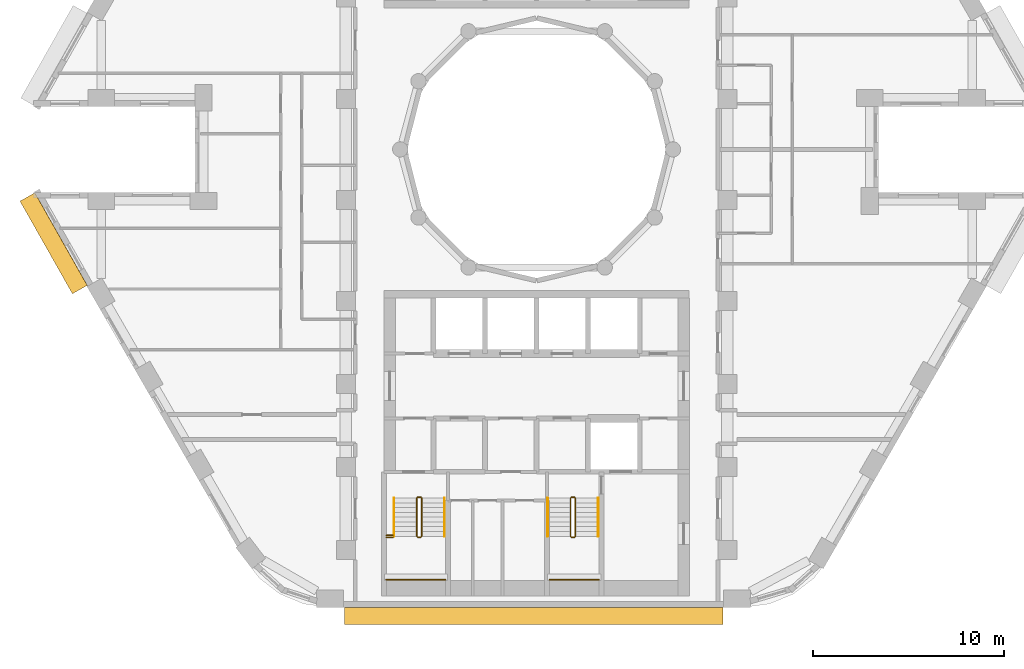
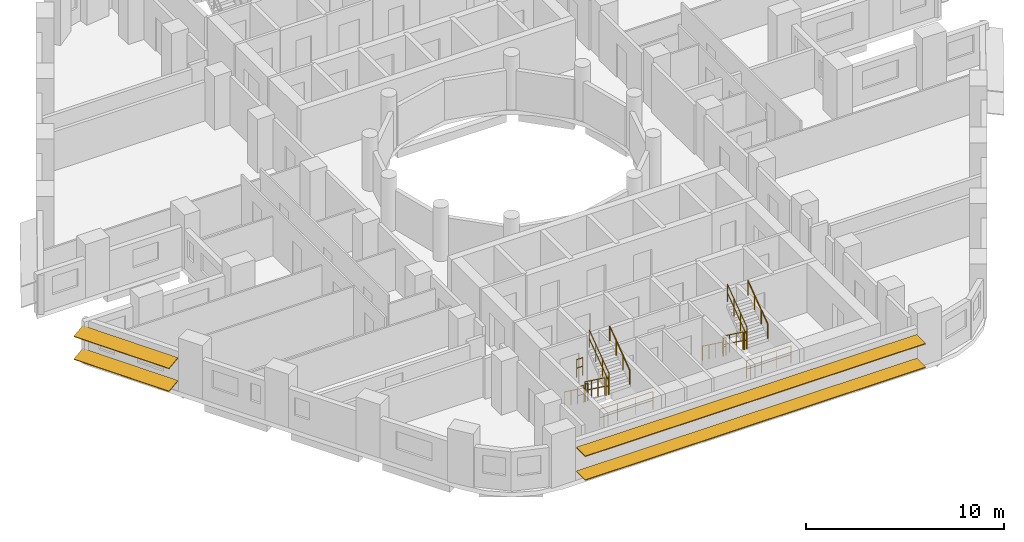
# One storey, part 10 of 12: 16 railings, 4 shading devices.
"""IFC4 building model written with IfcOpenShell, lengths in metres."""

from ifc_helpers import new_model, si_unit, direction, frame, origin, origin_2d, place, context, subcontext, project, spatial, rectangle, circle, extrude, material, material_profile, profile_set, type_object, element, save


model = new_model("IFC4")

# Units and contexts
model_context = context("Model", 3, precision=1e-05, world=origin(), true_north=direction((0.0, 1.0)))
body_context = subcontext(model_context, "Body", "Model", "MODEL_VIEW")
ifc_project = project(units=[si_unit("LENGTHUNIT", "METRE"), si_unit("AREAUNIT", "SQUARE_METRE"), si_unit("VOLUMEUNIT", "CUBIC_METRE"), si_unit("PLANEANGLEUNIT", "RADIAN"), si_unit("MASSUNIT", "GRAM", prefix="KILO")], contexts=[model_context])

# Site, building, storey
site_placement = place(None, origin())
site = spatial("IfcSite", under=ifc_project, at=site_placement, CompositionType="ELEMENT")
building_placement = place(site_placement, origin())
building = spatial("IfcBuilding", under=site, at=building_placement, Name="Nakaniwa Court", CompositionType="ELEMENT")
storey_placement = place(building_placement, frame((0.0, 0.0, 94.199951171875)))
storey = spatial("IfcBuildingStorey", under=building, at=storey_placement, Name="L24", CompositionType="ELEMENT", Elevation=94.199951171875)

# Shading devices
ifc_material_1 = material(Name="Perforated charcoal ceramic louvre blade")
ifc_material_profile = material_profile(ifc_material_1, rectangle(XDim=0.89990234375, YDim=0.050048828125, at=origin_2d()), Name="Perforated ceramic louvre blade")
ifc_profile_set = profile_set([ifc_material_profile], Name="Perforated charcoal ceramic louvre blade")
shading_device_type = type_object("IfcShadingDeviceType", Name="Perforated ceramic louvre blade", PredefinedType="JALOUSIE", material=ifc_profile_set)
for number, where, z_axis, x_axis, name in (
    (1, (53.31689453125, 77.508056640625, 0.550048828125), (0.492438058427, -0.870347493024, 0.0), (0.862701960504, 0.488112256124, 0.132256390257), "L24 perforated ceramic louvre blade w20 1"),
    (2, (53.31689453125, 77.508056640625, 1.955810546875), (0.492438058427, -0.870347493024, 0.0), (0.862701960504, 0.488112256124, 0.132256390257), "L24 perforated ceramic louvre blade w20 2"),
):
    element("IfcShadingDevice", number, at=place(storey_placement, frame(where, z_axis=z_axis, x_axis=x_axis)), inside=storey, type_object=shading_device_type, Name=name, PredefinedType="JALOUSIE", context=body_context, shape_type="SweptSolid", body=[
        extrude(rectangle(XDim=0.89990234375, YDim=0.050048828125, at=origin_2d()), origin(), (0.0, 0.0, 1.0), 5.576416015625),
    ])
for number, where, z_axis, x_axis, name in (
    (3, (69.92138671875, 55.550048828125, 0.550048828125), (1.0, 0.0, 0.0), (0.0, 1.0, 0.0), "L24 perforated ceramic louvre blade w26 1"),
    (4, (69.92138671875, 55.550048828125, 2.01513671875), (1.0, 0.0, 0.0), (0.0, 1.0, 0.0), "L24 perforated ceramic louvre blade w26 2"),
):
    element("IfcShadingDevice", number, at=place(storey_placement, frame(where, z_axis=z_axis, x_axis=x_axis)), inside=storey, type_object=shading_device_type, Name=name, PredefinedType="JALOUSIE", context=body_context, shape_type="SweptSolid", body=[
        extrude(rectangle(XDim=0.89990234375, YDim=0.050048828125, at=origin_2d()), origin(), (0.0, 0.0, 1.0), 19.839599609375),
    ])

# Railings
ifc_material_2 = material(Name="Black powder coated steel guard", Category="steel")
railing_type_1 = type_object("IfcRailingType", Name="Stair guard 1100", PredefinedType="GUARDRAIL", material=ifc_material_2)
railing_1_placement = place(storey_placement, frame((73.72509765625, 61.72509765625, 0.183349609375)))
element("IfcRailing", 5, at=railing_1_placement, inside=storey, type_object=railing_type_1, Name="L24 ST3 stair guard 1", PredefinedType="GUARDRAIL", context=body_context, shape_type="SweptSolid", body=[
    extrude(circle(Radius=0.02392578125, at=origin_2d()), frame((0.0, 0.0, 1.076171875), z_axis=(0.0, -0.806379959628, 0.591397802423), x_axis=(1.0, 0.0, 0.0)), (0.0, 0.0, 1.0), 2.480224609375),
    extrude(circle(Radius=0.02392578125, at=origin_2d()), frame((0.0, 0.0, 0.550048828125), z_axis=(0.0, -0.806379959628, 0.591397802423), x_axis=(1.0, 0.0, 0.0)), (0.0, 0.0, 1.0), 2.480224609375),
    extrude(circle(Radius=0.02099609375, at=origin_2d()), origin(), (0.0, 0.0, 1.0), 1.052001953125),
    extrude(circle(Radius=0.02099609375, at=origin_2d()), frame((0.0, -0.666748046875, 0.489013671875)), (0.0, 0.0, 1.0), 1.052001953125),
    extrude(circle(Radius=0.02099609375, at=origin_2d()), frame((0.0, -1.333251953125, 0.977783203125)), (0.0, 0.0, 1.0), 1.052001953125),
    extrude(circle(Radius=0.02099609375, at=origin_2d()), frame((0.0, -2.0, 1.466796875)), (0.0, 0.0, 1.0), 1.052001953125),
])
railing_2_placement = place(storey_placement, frame((73.77490234375, 59.675048828125, 1.650146484375)))
element("IfcRailing", 6, at=railing_2_placement, inside=storey, type_object=railing_type_1, Name="L24 ST3 stair guard 2", PredefinedType="GUARDRAIL", context=body_context, shape_type="SweptSolid", body=[
    extrude(circle(Radius=0.02392578125, at=origin_2d()), frame((0.0, 0.0, 1.076171875), z_axis=(1.0, 0.0, 0.0), x_axis=(0.0, 1.0, 0.0)), (0.0, 0.0, 1.0), 0.150146484375),
    extrude(circle(Radius=0.02392578125, at=origin_2d()), frame((0.0, 0.0, 0.550048828125), z_axis=(1.0, 0.0, 0.0), x_axis=(0.0, 1.0, 0.0)), (0.0, 0.0, 1.0), 0.150146484375),
    extrude(circle(Radius=0.02099609375, at=origin_2d()), origin(), (0.0, 0.0, 1.0), 1.052001953125),
    extrude(circle(Radius=0.02099609375, at=origin_2d()), frame((0.150146484375, 0.0, 0.0)), (0.0, 0.0, 1.0), 1.052001953125),
])
railing_3_placement = place(storey_placement, frame((73.97509765625, 59.72509765625, 1.83349609375)))
element("IfcRailing", 7, at=railing_3_placement, inside=storey, type_object=railing_type_1, Name="L24 ST3 stair guard 3", PredefinedType="GUARDRAIL", context=body_context, shape_type="SweptSolid", body=[
    extrude(circle(Radius=0.02392578125, at=origin_2d()), frame((0.0, 0.0, 1.076171875), z_axis=(0.0, 0.806426902644, 0.591333789573), x_axis=(-1.0, 0.0, 0.0)), (0.0, 0.0, 1.0), 2.47998046875),
    extrude(circle(Radius=0.02392578125, at=origin_2d()), frame((0.0, 0.0, 0.550048828125), z_axis=(0.0, 0.806426902644, 0.591333789573), x_axis=(-1.0, 0.0, 0.0)), (0.0, 0.0, 1.0), 2.47998046875),
    extrude(circle(Radius=0.02099609375, at=origin_2d()), origin(), (0.0, 0.0, 1.0), 1.052001953125),
    extrude(circle(Radius=0.02099609375, at=origin_2d()), frame((0.0, 0.666748046875, 0.48876953125)), (0.0, 0.0, 1.0), 1.052001953125),
    extrude(circle(Radius=0.02099609375, at=origin_2d()), frame((0.0, 1.333251953125, 0.977783203125)), (0.0, 0.0, 1.0), 1.052001953125),
    extrude(circle(Radius=0.02099609375, at=origin_2d()), frame((0.0, 2.0, 1.466552734375)), (0.0, 0.0, 1.0), 1.052001953125),
])
railing_4_placement = place(storey_placement, frame((73.77490234375, 61.77490234375, 0.0)))
element("IfcRailing", 8, at=railing_4_placement, inside=storey, type_object=railing_type_1, Name="L24 ST3 stair guard 4", PredefinedType="GUARDRAIL", context=body_context, shape_type="SweptSolid", body=[
    extrude(circle(Radius=0.02392578125, at=origin_2d()), frame((0.0, 0.0, 1.076171875), z_axis=(1.0, 0.0, 0.0), x_axis=(0.0, 1.0, 0.0)), (0.0, 0.0, 1.0), 0.150146484375),
    extrude(circle(Radius=0.02392578125, at=origin_2d()), frame((0.0, 0.0, 0.550048828125), z_axis=(1.0, 0.0, 0.0), x_axis=(0.0, 1.0, 0.0)), (0.0, 0.0, 1.0), 0.150146484375),
    extrude(circle(Radius=0.02099609375, at=origin_2d()), origin(), (0.0, 0.0, 1.0), 1.052001953125),
    extrude(circle(Radius=0.02099609375, at=origin_2d()), frame((0.150146484375, 0.0, 0.0)), (0.0, 0.0, 1.0), 1.052001953125),
])
railing_5_placement = place(storey_placement, frame((72.125, 57.449951171875, 1.650146484375)))
element("IfcRailing", 9, at=railing_5_placement, inside=storey, type_object=railing_type_1, Name="L24 ST3 landing end guard 1", PredefinedType="GUARDRAIL", context=body_context, shape_type="SweptSolid", body=[
    extrude(circle(Radius=0.02392578125, at=origin_2d()), frame((0.0, 0.0, 1.076171875), z_axis=(1.0, 0.0, 0.0), x_axis=(0.0, 1.0, 0.0)), (0.0, 0.0, 1.0), 3.10009765625),
    extrude(circle(Radius=0.02392578125, at=origin_2d()), frame((0.0, 0.0, 0.550048828125), z_axis=(1.0, 0.0, 0.0), x_axis=(0.0, 1.0, 0.0)), (0.0, 0.0, 1.0), 3.10009765625),
    extrude(circle(Radius=0.02099609375, at=origin_2d()), origin(), (0.0, 0.0, 1.0), 1.052001953125),
    extrude(circle(Radius=0.02099609375, at=origin_2d()), frame((1.033447265625, 0.0, 0.0)), (0.0, 0.0, 1.0), 1.052001953125),
    extrude(circle(Radius=0.02099609375, at=origin_2d()), frame((2.066650390625, 0.0, 0.0)), (0.0, 0.0, 1.0), 1.052001953125),
    extrude(circle(Radius=0.02099609375, at=origin_2d()), frame((3.10009765625, 0.0, 0.0)), (0.0, 0.0, 1.0), 1.052001953125),
])
for number, where, name in (
    (10, (72.125, 59.675048828125, 1.650146484375), "L24 ST3 landing side guard 1W"),
    (11, (72.125, 59.77490234375, 3.300048828125), "L24 ST3 floor edge guard 1W"),
):
    element("IfcRailing", number, at=place(storey_placement, frame(where)), inside=storey, type_object=railing_type_1, Name=name, PredefinedType="GUARDRAIL", context=body_context, shape_type="SweptSolid", body=[
        extrude(circle(Radius=0.02392578125, at=origin_2d()), frame((0.0, 0.0, 1.076171875), z_axis=(1.0, 0.0, 0.0), x_axis=(0.0, 1.0, 0.0)), (0.0, 0.0, 1.0), 0.35009765625),
        extrude(circle(Radius=0.02392578125, at=origin_2d()), frame((0.0, 0.0, 0.550048828125), z_axis=(1.0, 0.0, 0.0), x_axis=(0.0, 1.0, 0.0)), (0.0, 0.0, 1.0), 0.35009765625),
        extrude(circle(Radius=0.02099609375, at=origin_2d()), origin(), (0.0, 0.0, 1.0), 1.052001953125),
        extrude(circle(Radius=0.02099609375, at=origin_2d()), frame((0.35009765625, 0.0, 0.0)), (0.0, 0.0, 1.0), 1.052001953125),
    ])
railing_6_placement = place(storey_placement, frame((81.77490234375, 61.72509765625, 0.183349609375)))
element("IfcRailing", 12, at=railing_6_placement, inside=storey, type_object=railing_type_1, Name="L24 ST4 stair guard 1", PredefinedType="GUARDRAIL", context=body_context, shape_type="SweptSolid", body=[
    extrude(circle(Radius=0.02392578125, at=origin_2d()), frame((0.0, 0.0, 1.076171875), z_axis=(0.0, -0.806379959628, 0.591397802423), x_axis=(1.0, 0.0, 0.0)), (0.0, 0.0, 1.0), 2.480224609375),
    extrude(circle(Radius=0.02392578125, at=origin_2d()), frame((0.0, 0.0, 0.550048828125), z_axis=(0.0, -0.806379959628, 0.591397802423), x_axis=(1.0, 0.0, 0.0)), (0.0, 0.0, 1.0), 2.480224609375),
    extrude(circle(Radius=0.02099609375, at=origin_2d()), origin(), (0.0, 0.0, 1.0), 1.052001953125),
    extrude(circle(Radius=0.02099609375, at=origin_2d()), frame((0.0, -0.666748046875, 0.489013671875)), (0.0, 0.0, 1.0), 1.052001953125),
    extrude(circle(Radius=0.02099609375, at=origin_2d()), frame((0.0, -1.333251953125, 0.977783203125)), (0.0, 0.0, 1.0), 1.052001953125),
    extrude(circle(Radius=0.02099609375, at=origin_2d()), frame((0.0, -2.0, 1.466796875)), (0.0, 0.0, 1.0), 1.052001953125),
])
railing_7_placement = place(storey_placement, frame((81.824951171875, 59.675048828125, 1.650146484375)))
element("IfcRailing", 13, at=railing_7_placement, inside=storey, type_object=railing_type_1, Name="L24 ST4 stair guard 2", PredefinedType="GUARDRAIL", context=body_context, shape_type="SweptSolid", body=[
    extrude(circle(Radius=0.02392578125, at=origin_2d()), frame((0.0, 0.0, 1.076171875), z_axis=(1.0, 0.0, 0.0), x_axis=(0.0, 1.0, 0.0)), (0.0, 0.0, 1.0), 0.150146484375),
    extrude(circle(Radius=0.02392578125, at=origin_2d()), frame((0.0, 0.0, 0.550048828125), z_axis=(1.0, 0.0, 0.0), x_axis=(0.0, 1.0, 0.0)), (0.0, 0.0, 1.0), 0.150146484375),
    extrude(circle(Radius=0.02099609375, at=origin_2d()), origin(), (0.0, 0.0, 1.0), 1.052001953125),
    extrude(circle(Radius=0.02099609375, at=origin_2d()), frame((0.150146484375, 0.0, 0.0)), (0.0, 0.0, 1.0), 1.052001953125),
])
railing_8_placement = place(storey_placement, frame((82.02490234375, 59.72509765625, 1.83349609375)))
element("IfcRailing", 14, at=railing_8_placement, inside=storey, type_object=railing_type_1, Name="L24 ST4 stair guard 3", PredefinedType="GUARDRAIL", context=body_context, shape_type="SweptSolid", body=[
    extrude(circle(Radius=0.02392578125, at=origin_2d()), frame((0.0, 0.0, 1.076171875), z_axis=(0.0, 0.806426902644, 0.591333789573), x_axis=(-1.0, 0.0, 0.0)), (0.0, 0.0, 1.0), 2.47998046875),
    extrude(circle(Radius=0.02392578125, at=origin_2d()), frame((0.0, 0.0, 0.550048828125), z_axis=(0.0, 0.806426902644, 0.591333789573), x_axis=(-1.0, 0.0, 0.0)), (0.0, 0.0, 1.0), 2.47998046875),
    extrude(circle(Radius=0.02099609375, at=origin_2d()), origin(), (0.0, 0.0, 1.0), 1.052001953125),
    extrude(circle(Radius=0.02099609375, at=origin_2d()), frame((0.0, 0.666748046875, 0.48876953125)), (0.0, 0.0, 1.0), 1.052001953125),
    extrude(circle(Radius=0.02099609375, at=origin_2d()), frame((0.0, 1.333251953125, 0.977783203125)), (0.0, 0.0, 1.0), 1.052001953125),
    extrude(circle(Radius=0.02099609375, at=origin_2d()), frame((0.0, 2.0, 1.466552734375)), (0.0, 0.0, 1.0), 1.052001953125),
])
railing_9_placement = place(storey_placement, frame((81.824951171875, 61.77490234375, 0.0)))
element("IfcRailing", 15, at=railing_9_placement, inside=storey, type_object=railing_type_1, Name="L24 ST4 stair guard 4", PredefinedType="GUARDRAIL", context=body_context, shape_type="SweptSolid", body=[
    extrude(circle(Radius=0.02392578125, at=origin_2d()), frame((0.0, 0.0, 1.076171875), z_axis=(1.0, 0.0, 0.0), x_axis=(0.0, 1.0, 0.0)), (0.0, 0.0, 1.0), 0.150146484375),
    extrude(circle(Radius=0.02392578125, at=origin_2d()), frame((0.0, 0.0, 0.550048828125), z_axis=(1.0, 0.0, 0.0), x_axis=(0.0, 1.0, 0.0)), (0.0, 0.0, 1.0), 0.150146484375),
    extrude(circle(Radius=0.02099609375, at=origin_2d()), origin(), (0.0, 0.0, 1.0), 1.052001953125),
    extrude(circle(Radius=0.02099609375, at=origin_2d()), frame((0.150146484375, 0.0, 0.0)), (0.0, 0.0, 1.0), 1.052001953125),
])
railing_10_placement = place(storey_placement, frame((80.675048828125, 57.449951171875, 1.650146484375)))
element("IfcRailing", 16, at=railing_10_placement, inside=storey, type_object=railing_type_1, Name="L24 ST4 landing end guard 1", PredefinedType="GUARDRAIL", context=body_context, shape_type="SweptSolid", body=[
    extrude(circle(Radius=0.02392578125, at=origin_2d()), frame((0.0, 0.0, 1.076171875), z_axis=(1.0, 0.0, 0.0), x_axis=(0.0, 1.0, 0.0)), (0.0, 0.0, 1.0), 2.599853515625),
    extrude(circle(Radius=0.02392578125, at=origin_2d()), frame((0.0, 0.0, 0.550048828125), z_axis=(1.0, 0.0, 0.0), x_axis=(0.0, 1.0, 0.0)), (0.0, 0.0, 1.0), 2.599853515625),
    extrude(circle(Radius=0.02099609375, at=origin_2d()), origin(), (0.0, 0.0, 1.0), 1.052001953125),
    extrude(circle(Radius=0.02099609375, at=origin_2d()), frame((0.86669921875, 0.0, 0.0)), (0.0, 0.0, 1.0), 1.052001953125),
    extrude(circle(Radius=0.02099609375, at=origin_2d()), frame((1.733154296875, 0.0, 0.0)), (0.0, 0.0, 1.0), 1.052001953125),
    extrude(circle(Radius=0.02099609375, at=origin_2d()), frame((2.599853515625, 0.0, 0.0)), (0.0, 0.0, 1.0), 1.052001953125),
])
ifc_material_3 = material(Name="Black powder coated steel handrail", Category="steel")
railing_type_2 = type_object("IfcRailingType", Name="Stair handrail 900", PredefinedType="HANDRAIL", material=ifc_material_3)
railing_11_placement = place(storey_placement, frame((72.52490234375, 61.72509765625, 0.183349609375)))
element("IfcRailing", 17, at=railing_11_placement, inside=storey, type_object=railing_type_2, Name="L24 ST3 stair handrail 1", PredefinedType="HANDRAIL", context=body_context, shape_type="SweptSolid", body=[
    extrude(circle(Radius=0.02392578125, at=origin_2d()), frame((0.0, 0.0, 0.8759765625), z_axis=(0.0, -0.806379959628, 0.591397802423), x_axis=(1.0, 0.0, 0.0)), (0.0, 0.0, 1.0), 2.480224609375),
    extrude(circle(Radius=0.02099609375, at=origin_2d()), origin(), (0.0, 0.0, 1.0), 0.851806640625),
    extrude(circle(Radius=0.02099609375, at=origin_2d()), frame((0.0, -0.666748046875, 0.489013671875)), (0.0, 0.0, 1.0), 0.851806640625),
    extrude(circle(Radius=0.02099609375, at=origin_2d()), frame((0.0, -1.333251953125, 0.977783203125)), (0.0, 0.0, 1.0), 0.851806640625),
    extrude(circle(Radius=0.02099609375, at=origin_2d()), frame((0.0, -2.0, 1.466796875)), (0.0, 0.0, 1.0), 0.851806640625),
])
railing_12_placement = place(storey_placement, frame((75.175048828125, 59.72509765625, 1.83349609375)))
element("IfcRailing", 18, at=railing_12_placement, inside=storey, type_object=railing_type_2, Name="L24 ST3 stair handrail 2", PredefinedType="HANDRAIL", context=body_context, shape_type="SweptSolid", body=[
    extrude(circle(Radius=0.02392578125, at=origin_2d()), frame((0.0, 0.0, 0.8759765625), z_axis=(0.0, 0.806426902644, 0.591333789573), x_axis=(-1.0, 0.0, 0.0)), (0.0, 0.0, 1.0), 2.47998046875),
    extrude(circle(Radius=0.02099609375, at=origin_2d()), origin(), (0.0, 0.0, 1.0), 0.851806640625),
    extrude(circle(Radius=0.02099609375, at=origin_2d()), frame((0.0, 0.666748046875, 0.48876953125)), (0.0, 0.0, 1.0), 0.851806640625),
    extrude(circle(Radius=0.02099609375, at=origin_2d()), frame((0.0, 1.333251953125, 0.977783203125)), (0.0, 0.0, 1.0), 0.851806640625),
    extrude(circle(Radius=0.02099609375, at=origin_2d()), frame((0.0, 2.0, 1.466552734375)), (0.0, 0.0, 1.0), 0.851806640625),
])
railing_13_placement = place(storey_placement, frame((80.574951171875, 61.72509765625, 0.183349609375)))
element("IfcRailing", 19, at=railing_13_placement, inside=storey, type_object=railing_type_2, Name="L24 ST4 stair handrail 1", PredefinedType="HANDRAIL", context=body_context, shape_type="SweptSolid", body=[
    extrude(circle(Radius=0.02392578125, at=origin_2d()), frame((0.0, 0.0, 0.8759765625), z_axis=(0.0, -0.806379959628, 0.591397802423), x_axis=(1.0, 0.0, 0.0)), (0.0, 0.0, 1.0), 2.480224609375),
    extrude(circle(Radius=0.02099609375, at=origin_2d()), origin(), (0.0, 0.0, 1.0), 0.851806640625),
    extrude(circle(Radius=0.02099609375, at=origin_2d()), frame((0.0, -0.666748046875, 0.489013671875)), (0.0, 0.0, 1.0), 0.851806640625),
    extrude(circle(Radius=0.02099609375, at=origin_2d()), frame((0.0, -1.333251953125, 0.977783203125)), (0.0, 0.0, 1.0), 0.851806640625),
    extrude(circle(Radius=0.02099609375, at=origin_2d()), frame((0.0, -2.0, 1.466796875)), (0.0, 0.0, 1.0), 0.851806640625),
])
railing_14_placement = place(storey_placement, frame((83.22509765625, 59.72509765625, 1.83349609375)))
element("IfcRailing", 20, at=railing_14_placement, inside=storey, type_object=railing_type_2, Name="L24 ST4 stair handrail 2", PredefinedType="HANDRAIL", context=body_context, shape_type="SweptSolid", body=[
    extrude(circle(Radius=0.02392578125, at=origin_2d()), frame((0.0, 0.0, 0.8759765625), z_axis=(0.0, 0.806426902644, 0.591333789573), x_axis=(-1.0, 0.0, 0.0)), (0.0, 0.0, 1.0), 2.47998046875),
    extrude(circle(Radius=0.02099609375, at=origin_2d()), origin(), (0.0, 0.0, 1.0), 0.851806640625),
    extrude(circle(Radius=0.02099609375, at=origin_2d()), frame((0.0, 0.666748046875, 0.48876953125)), (0.0, 0.0, 1.0), 0.851806640625),
    extrude(circle(Radius=0.02099609375, at=origin_2d()), frame((0.0, 1.333251953125, 0.977783203125)), (0.0, 0.0, 1.0), 0.851806640625),
    extrude(circle(Radius=0.02099609375, at=origin_2d()), frame((0.0, 2.0, 1.466552734375)), (0.0, 0.0, 1.0), 0.851806640625),
])

save(model, "model.ifc")
